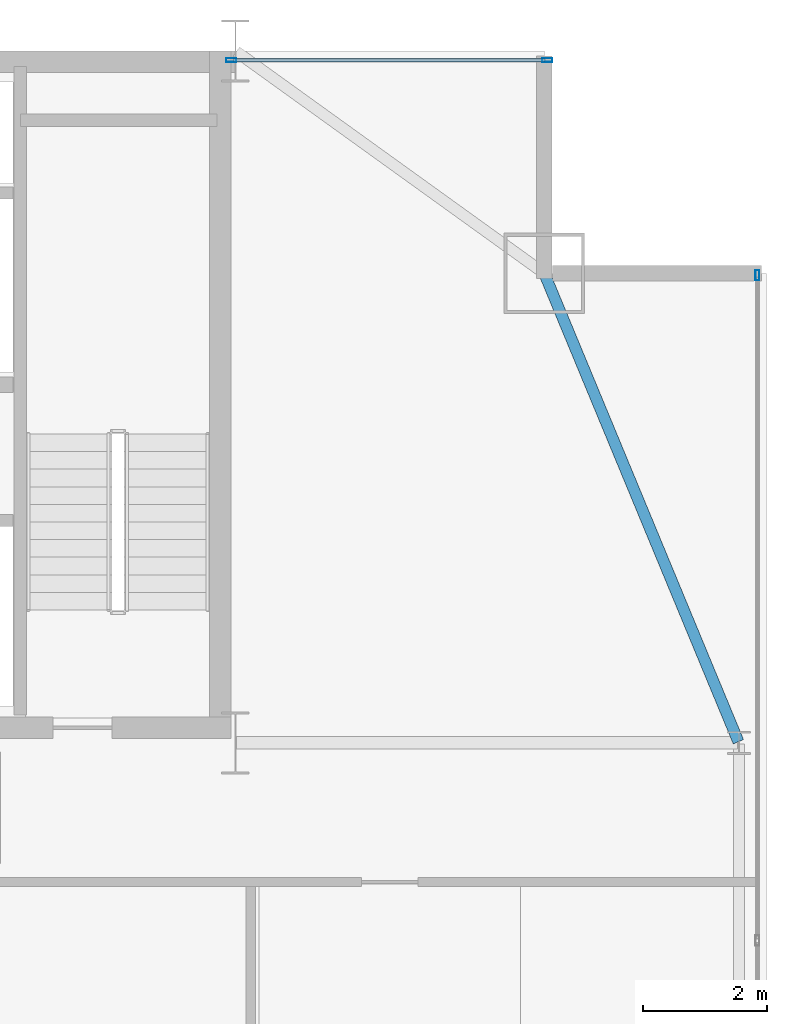
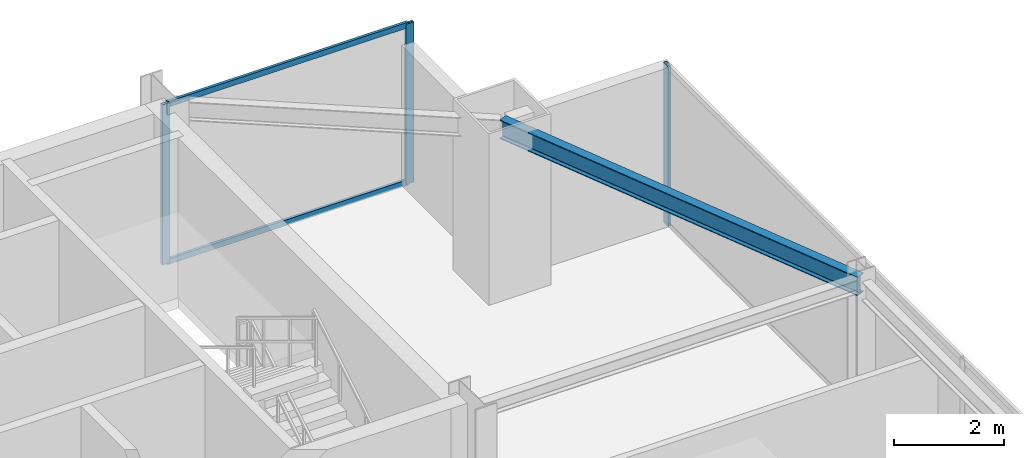
# One storey, part 22 of 30: 5 members, 1 beam, 2 elements without a shape of their own.
"""IFC4 building model written with IfcOpenShell, lengths in metres."""

from ifc_helpers import new_model, si_unit, direction, frame, origin, origin_2d, place, context, subcontext, project, spatial, hollow_rectangle, i_section, extrude, source, transform, mapped, material, layer, layer_set, material_profile, profile_set, type_object, type_shapes, element, aggregate, save


model = new_model("IFC4")

# Units and contexts
model_context = context("Model", 3, precision=1e-05, world=origin(), true_north=direction((0.0, 1.0)))
body_context = subcontext(model_context, "Body", "Model", "MODEL_VIEW")
ifc_project = project(units=[si_unit("LENGTHUNIT", "METRE"), si_unit("AREAUNIT", "SQUARE_METRE"), si_unit("VOLUMEUNIT", "CUBIC_METRE"), si_unit("PLANEANGLEUNIT", "RADIAN"), si_unit("MASSUNIT", "GRAM", prefix="KILO")], contexts=[model_context])

# Site, building, storey
site_placement = place(None, origin())
site = spatial("IfcSite", under=ifc_project, at=site_placement, CompositionType="ELEMENT")
building_placement = place(site_placement, origin())
building = spatial("IfcBuilding", under=site, at=building_placement, Name="Varnel Quay Broadcast Tower", CompositionType="ELEMENT")
storey_placement = place(building_placement, frame((0.0, 0.0, 180.0)))
storey = spatial("IfcBuildingStorey", under=building, at=storey_placement, Name="L44", CompositionType="ELEMENT", Elevation=180.0)

# Beam
ifc_material_1 = material(Name="Structural Steel CSA G40.21 350W", Category="steel")
ifc_material_profile_1 = material_profile(ifc_material_1, i_section(OverallWidth=0.180908203125, OverallDepth=0.4169921875, WebThickness=0.010986328125, FlangeThickness=0.018310546875, FilletRadius=0.011962890625, at=origin_2d()), Name="W410X85")
ifc_profile_set_1 = profile_set([ifc_material_profile_1], Name="Structural Steel CSA G40.21 350W")
beam_type = type_object("IfcBeamType", Name="Beam_W410X85", PredefinedType="SPANDREL", material=ifc_profile_set_1)
shared_shape_1 = source(origin(), body_context, "Body", "SweptSolid", [
    extrude(i_section(OverallWidth=0.180908203125, OverallDepth=0.4169921875, WebThickness=0.010986328125, FlangeThickness=0.018310546875, FilletRadius=0.011962890625, at=origin_2d()), origin(), (0.0, 0.0, 1.0), 8.186767578125),
])
type_shapes(beam_type, [shared_shape_1])
beam_placement = place(storey_placement, frame((60.542236328125, 35.618408203125, 3.341552734375), z_axis=(-0.382874132092, 0.923800519038, 0.0), x_axis=(-0.923800519038, -0.382874132092, 0.0)))
element("IfcBeam", 1, at=beam_placement, inside=storey, type_object=beam_type, Name="L44 East Spandrel TC-E3-MC-NE", PredefinedType="SPANDREL", context=body_context, shape_type="MappedRepresentation", body=[
    mapped(shared_shape_1, transform((0.0, 0.0, 0.0), x_axis=(1.0, 0.0, 0.0), y_axis=(0.0, 1.0, 0.0), z_axis=(0.0, 0.0, 1.0), scale=1.0)),
])

# Curtain wall, member
ifc_material_2 = material(Name="Anodised Bronze Aluminium 6063-T6", Category="aluminium")
ifc_layer = layer(ifc_material_2, 0.18994140625, Name="Anodised Bronze Aluminium 6063-T6")
ifc_layer_set = layer_set([ifc_layer], Name="Anodised Bronze Aluminium 6063-T6")
curtain_wall_type = type_object("IfcCurtainWallType", Name="CW_UpperTower", PredefinedType="NOTDEFINED", material=ifc_layer_set)
curtain_wall_1_placement = place(storey_placement, origin())
curtain_wall_1 = element("IfcCurtainWall", 2, at=curtain_wall_1_placement, inside=storey, type_object=curtain_wall_type, Name="L44 East Unitised Curtain Wall", PredefinedType="NOTDEFINED")
ifc_material_profile_2 = material_profile(ifc_material_2, hollow_rectangle(XDim=0.06494140625, YDim=0.1650390625, WallThickness=0.00341796875, at=origin_2d()), Name="ALU65X165X3.5")
ifc_profile_set_2 = profile_set([ifc_material_profile_2], Name="Anodised Bronze Aluminium 6063-T6")
member_type_1 = type_object("IfcMemberType", Name="Mull_CWS-03", PredefinedType="MULLION", material=ifc_profile_set_2)
shared_shape_2 = source(origin(), body_context, "Body", "SweptSolid", [
    extrude(hollow_rectangle(XDim=0.06494140625, YDim=0.1650390625, WallThickness=0.00341796875, at=origin_2d()), origin(), (0.0, 0.0, 1.0), 3.550048828125),
])
type_shapes(member_type_1, [shared_shape_2])
member_1_placement = place(storey_placement, frame((60.85009765625, 43.16748046875, 0.0), z_axis=(0.0, 0.0, 1.0), x_axis=(-1.0, 0.0, 0.0)))
member_1 = element("IfcMember", 3, at=member_1_placement, type_object=member_type_1, Name="CWS-03 mullion 4", PredefinedType="MULLION", context=body_context, shape_type="MappedRepresentation", body=[
    mapped(shared_shape_2, transform((0.0, 0.0, 0.0), x_axis=(1.0, 0.0, 0.0), y_axis=(0.0, 1.0, 0.0), z_axis=(0.0, 0.0, 1.0), scale=1.0)),
])
aggregate(curtain_wall_1, [member_1])

# Curtain wall, members
curtain_wall_2_placement = place(storey_placement, origin())
curtain_wall_2 = element("IfcCurtainWall", 4, at=curtain_wall_2_placement, inside=storey, type_object=curtain_wall_type, Name="L44 NE Wing Curtain Wall", PredefinedType="NOTDEFINED")
member_2_placement = place(storey_placement, frame((52.33251953125, 46.64990234375, 0.0), z_axis=(0.0, 0.0, 1.0), x_axis=(0.0, 1.0, 0.0)))
member_2 = element("IfcMember", 5, at=member_2_placement, type_object=member_type_1, Name="CWS-03 mullion 1", PredefinedType="MULLION", context=body_context, shape_type="MappedRepresentation", body=[
    mapped(shared_shape_2, transform((0.0, 0.0, 0.0), x_axis=(1.0, 0.0, 0.0), y_axis=(0.0, 1.0, 0.0), z_axis=(0.0, 0.0, 1.0), scale=1.0)),
])
member_3_placement = place(storey_placement, frame((57.447509765625, 46.64990234375, 0.0), z_axis=(0.0, 0.0, 1.0), x_axis=(0.0, 1.0, 0.0)))
member_3 = element("IfcMember", 6, at=member_3_placement, type_object=member_type_1, Name="CWS-03 mullion 2", PredefinedType="MULLION", context=body_context, shape_type="MappedRepresentation", body=[
    mapped(shared_shape_2, transform((0.0, 0.0, 0.0), x_axis=(1.0, 0.0, 0.0), y_axis=(0.0, 1.0, 0.0), z_axis=(0.0, 0.0, 1.0), scale=1.0)),
])
ifc_material_profile_3 = material_profile(ifc_material_2, hollow_rectangle(XDim=0.06005859375, YDim=0.125, WallThickness=0.0029296875, at=origin_2d()), Name="ALU60X125X3")
ifc_profile_set_3 = profile_set([ifc_material_profile_3], Name="Anodised Bronze Aluminium 6063-T6")
member_type_2 = type_object("IfcMemberType", Name="Tran_CWS-03", PredefinedType="USERDEFINED", material=ifc_profile_set_3)
shared_shape_3 = source(origin(), body_context, "Body", "SweptSolid", [
    extrude(hollow_rectangle(XDim=0.06005859375, YDim=0.125, WallThickness=0.0029296875, at=origin_2d()), origin(), (0.0, 0.0, 1.0), 5.050048828125),
])
type_shapes(member_type_2, [shared_shape_3])
member_4_placement = place(storey_placement, frame((52.364990234375, 46.64990234375, 0.030029296875), z_axis=(1.0, 0.0, 0.0), x_axis=(0.0, 1.0, 0.0)))
member_4 = element("IfcMember", 7, at=member_4_placement, type_object=member_type_2, Name="CWS-03 transom 1.1", ObjectType="TRANSOM", PredefinedType="USERDEFINED", context=body_context, shape_type="MappedRepresentation", body=[
    mapped(shared_shape_3, transform((0.0, 0.0, 0.0), x_axis=(1.0, 0.0, 0.0), y_axis=(0.0, 1.0, 0.0), z_axis=(0.0, 0.0, 1.0), scale=1.0)),
])
member_5_placement = place(storey_placement, frame((52.364990234375, 46.64990234375, 3.52001953125), z_axis=(1.0, 0.0, 0.0), x_axis=(0.0, 1.0, 0.0)))
member_5 = element("IfcMember", 8, at=member_5_placement, type_object=member_type_2, Name="CWS-03 transom 1.2", ObjectType="TRANSOM", PredefinedType="USERDEFINED", context=body_context, shape_type="MappedRepresentation", body=[
    mapped(shared_shape_3, transform((0.0, 0.0, 0.0), x_axis=(1.0, 0.0, 0.0), y_axis=(0.0, 1.0, 0.0), z_axis=(0.0, 0.0, 1.0), scale=1.0)),
])
aggregate(curtain_wall_2, [member_2, member_3, member_4, member_5])

save(model, "model.ifc")
